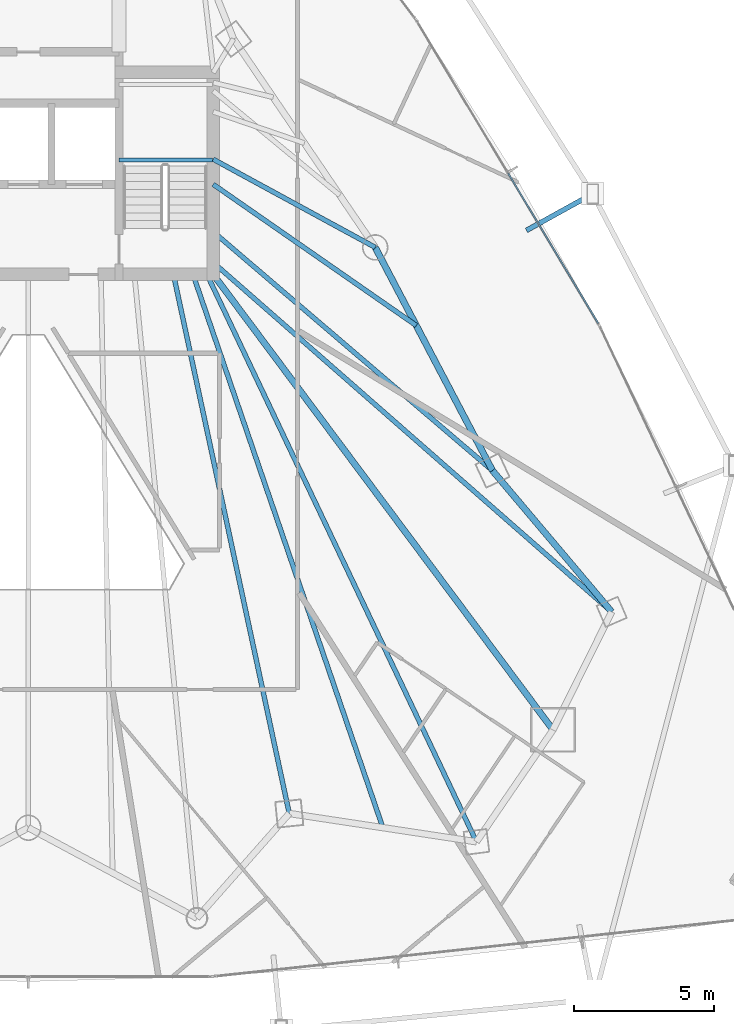
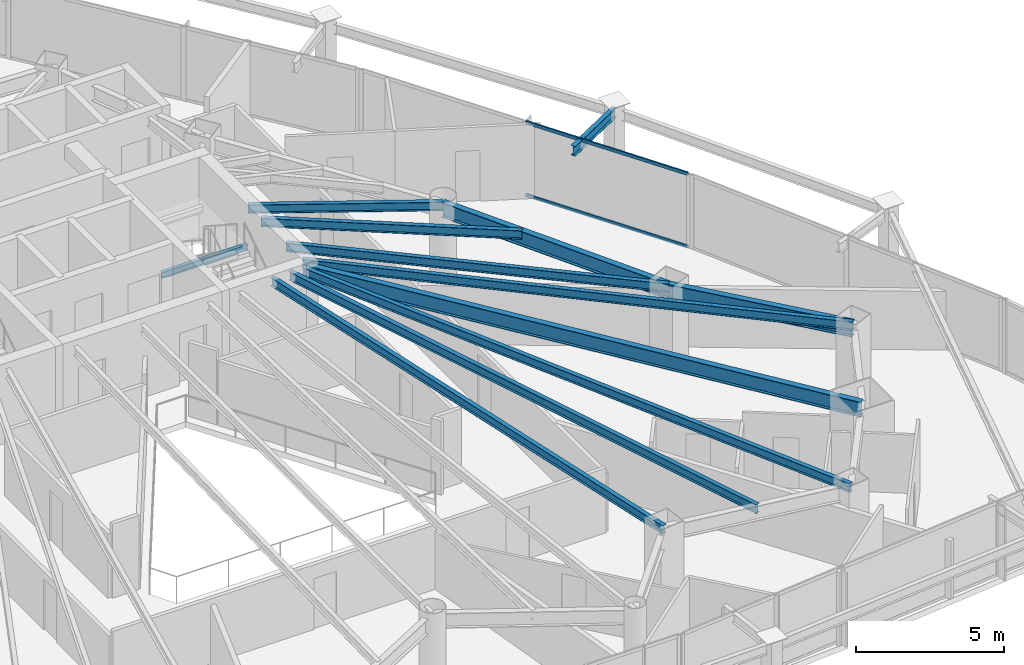
# One storey, part 19 of 38: 12 beams, 2 members, 1 element without a shape of its own.
"""IFC4 building model written with IfcOpenShell, lengths in metres."""

from ifc_helpers import new_model, si_unit, direction, frame, origin, origin_2d, place, context, subcontext, project, spatial, hollow_rectangle, i_section, extrude, material, layer, layer_set, material_profile, profile_set, type_object, element, aggregate, save


model = new_model("IFC4")

# Units and contexts
model_context = context("Model", 3, precision=1e-05, world=origin(), true_north=direction((0.0, 1.0)))
body_context = subcontext(model_context, "Body", "Model", "MODEL_VIEW")
ifc_project = project(units=[si_unit("LENGTHUNIT", "METRE"), si_unit("AREAUNIT", "SQUARE_METRE"), si_unit("VOLUMEUNIT", "CUBIC_METRE"), si_unit("PLANEANGLEUNIT", "RADIAN"), si_unit("MASSUNIT", "GRAM", prefix="KILO")], contexts=[model_context])

# Site, building, storey
site_placement = place(None, origin())
site = spatial("IfcSite", under=ifc_project, at=site_placement, CompositionType="ELEMENT")
building_placement = place(site_placement, origin())
building = spatial("IfcBuilding", under=site, at=building_placement, Name="Orvanel Arch Residences", CompositionType="ELEMENT")
storey_placement = place(building_placement, frame((0.0, 0.0, 50.0)))
storey = spatial("IfcBuildingStorey", under=building, at=storey_placement, Name="L13", CompositionType="ELEMENT", Elevation=50.0)

# Beams
ifc_material_1 = material(Name="Structural steel AS/NZS 3679.1 Grade 300 (300 MPa)", Category="steel")
ifc_material_profile_1 = material_profile(ifc_material_1, i_section(OverallWidth=0.22900390625, OverallDepth=0.612060546875, WebThickness=0.011962890625, FlangeThickness=0.01953125, at=origin_2d()), Name="610UB125")
ifc_profile_set_1 = profile_set([ifc_material_profile_1], Name="Structural steel AS/NZS 3679.1 Grade 300 (300 MPa)")
beam_type_1 = type_object("IfcBeamType", Name="BG-610UB", PredefinedType="BEAM", material=ifc_profile_set_1)
beam_1_placement = place(storey_placement, frame((39.625, 26.675048828125, 2.75390625), z_axis=(0.597893733742, -0.801575375839, 0.0), x_axis=(0.801575375839, 0.597893733742, 0.0)))
element("IfcBeam", 1, at=beam_1_placement, inside=storey, type_object=beam_type_1, Name="L13 South-East Radial Girder", PredefinedType="BEAM", context=body_context, shape_type="SweptSolid", body=[
    extrude(i_section(OverallWidth=0.22900390625, OverallDepth=0.612060546875, WebThickness=0.011962890625, FlangeThickness=0.01953125, at=origin_2d()), origin(), (0.0, 0.0, 1.0), 20.36474609375),
])
ifc_material_profile_2 = material_profile(ifc_material_1, i_section(OverallWidth=0.14599609375, OverallDepth=0.251953125, WebThickness=0.006103515625, FlangeThickness=0.008544921875, at=origin_2d()), Name="250UB31.4")
ifc_profile_set_2 = profile_set([ifc_material_profile_2], Name="Structural steel AS/NZS 3679.1 Grade 300 (300 MPa)")
beam_type_2 = type_object("IfcBeamType", Name="BJ-250UB", PredefinedType="JOIST", material=ifc_profile_set_2)
beam_2_placement = place(storey_placement, frame((36.25, 30.780029296875, 1.323974609375), z_axis=(1.0, 0.0, 0.0), x_axis=(0.0, 1.0, 0.0)))
element("IfcBeam", 2, at=beam_2_placement, inside=storey, type_object=beam_type_2, Name="L13 ST-2 Half-Landing Support Beam 1.1", PredefinedType="JOIST", context=body_context, shape_type="SweptSolid", body=[
    extrude(i_section(OverallWidth=0.14599609375, OverallDepth=0.251953125, WebThickness=0.006103515625, FlangeThickness=0.008544921875, at=origin_2d()), origin(), (0.0, 0.0, 1.0), 3.35009765625),
])
ifc_material_profile_3 = material_profile(ifc_material_1, i_section(OverallWidth=0.1708984375, OverallDepth=0.35595703125, WebThickness=0.00732421875, FlangeThickness=0.011474609375, at=origin_2d()), Name="360UB50.7")
ifc_profile_set_3 = profile_set([ifc_material_profile_3], Name="Structural steel AS/NZS 3679.1 Grade 300 (300 MPa)")
beam_type_3 = type_object("IfcBeamType", Name="BJ-360UB", PredefinedType="JOIST", material=ifc_profile_set_3)
beam_3_placement = place(storey_placement, frame((39.625, 30.800048828125, 2.882080078125), z_axis=(0.878399029914, -0.477927969726, 0.0), x_axis=(0.477927969726, 0.878399029914, 0.0)))
element("IfcBeam", 3, at=beam_3_placement, inside=storey, type_object=beam_type_3, Name="L13 NE Wing Floor Joist", PredefinedType="JOIST", context=body_context, shape_type="SweptSolid", body=[
    extrude(i_section(OverallWidth=0.1708984375, OverallDepth=0.35595703125, WebThickness=0.00732421875, FlangeThickness=0.011474609375, at=origin_2d()), origin(), (0.0, 0.0, 1.0), 6.609619140625),
])
beam_4_placement = place(storey_placement, frame((39.625, 28.199951171875, 2.882080078125), z_axis=(0.760024297953, -0.649894658018, 0.0), x_axis=(0.649894658018, 0.760024297953, 0.0)))
element("IfcBeam", 4, at=beam_4_placement, inside=storey, type_object=beam_type_3, Name="L13 E Wing Floor Joist", PredefinedType="JOIST", context=body_context, shape_type="SweptSolid", body=[
    extrude(i_section(OverallWidth=0.1708984375, OverallDepth=0.35595703125, WebThickness=0.00732421875, FlangeThickness=0.011474609375, at=origin_2d()), origin(), (0.0, 0.0, 1.0), 13.16796875),
])
beam_5_placement = place(storey_placement, frame((38.199951171875, 26.675048828125, 2.882080078125), z_axis=(0.210066515515, -0.977687096703, 0.0), x_axis=(0.977687096703, 0.210066515515, 0.0)))
element("IfcBeam", 5, at=beam_5_placement, inside=storey, type_object=beam_type_3, Name="L13 SE Wing Floor Joist", PredefinedType="JOIST", context=body_context, shape_type="SweptSolid", body=[
    extrude(i_section(OverallWidth=0.1708984375, OverallDepth=0.35595703125, WebThickness=0.00732421875, FlangeThickness=0.011474609375, at=origin_2d()), origin(), (0.0, 0.0, 1.0), 19.760986328125),
])
beam_6_placement = place(storey_placement, frame((39.625, 27.10009765625, 2.882080078125), z_axis=(0.751924114057, -0.659249669472, 0.0), x_axis=(0.659249669472, 0.751924114057, 0.0)))
element("IfcBeam", 6, at=beam_6_placement, inside=storey, type_object=beam_type_3, Name="L13 ME Wing Floor Joist", PredefinedType="JOIST", context=body_context, shape_type="SweptSolid", body=[
    extrude(i_section(OverallWidth=0.1708984375, OverallDepth=0.35595703125, WebThickness=0.00732421875, FlangeThickness=0.011474609375, at=origin_2d()), origin(), (0.0, 0.0, 1.0), 18.9912109375),
])
beam_7_placement = place(storey_placement, frame((39.39990234375, 26.675048828125, 2.882080078125), z_axis=(0.429042657795, -0.903284228686, 0.0), x_axis=(0.903284228686, 0.429042657795, 0.0)))
element("IfcBeam", 7, at=beam_7_placement, inside=storey, type_object=beam_type_3, Name="L13 MSE Wing Floor Joist", PredefinedType="JOIST", context=body_context, shape_type="SweptSolid", body=[
    extrude(i_section(OverallWidth=0.1708984375, OverallDepth=0.35595703125, WebThickness=0.00732421875, FlangeThickness=0.011474609375, at=origin_2d()), origin(), (0.0, 0.0, 1.0), 22.513427734375),
])
beam_8_placement = place(storey_placement, frame((39.625, 29.89990234375, 2.882080078125), z_axis=(0.821089880853, -0.570798920427, 0.0), x_axis=(0.570798920427, 0.821089880853, 0.0)))
element("IfcBeam", 8, at=beam_8_placement, inside=storey, type_object=beam_type_3, Name="L13 CTE Wing Floor Joist", PredefinedType="JOIST", context=body_context, shape_type="SweptSolid", body=[
    extrude(i_section(OverallWidth=0.1708984375, OverallDepth=0.35595703125, WebThickness=0.00732421875, FlangeThickness=0.011474609375, at=origin_2d()), origin(), (0.0, 0.0, 1.0), 8.86279296875),
])
beam_9_placement = place(storey_placement, frame((38.89990234375, 26.675048828125, 2.882080078125), z_axis=(0.324621456495, -0.945844019901, 0.0), x_axis=(0.945844019901, 0.324621456495, 0.0)))
element("IfcBeam", 9, at=beam_9_placement, inside=storey, type_object=beam_type_3, Name="L13 JADD2 Wing Floor Joist", PredefinedType="JOIST", context=body_context, shape_type="SweptSolid", body=[
    extrude(i_section(OverallWidth=0.1708984375, OverallDepth=0.35595703125, WebThickness=0.00732421875, FlangeThickness=0.011474609375, at=origin_2d()), origin(), (0.0, 0.0, 1.0), 20.96337890625),
])
ifc_material_profile_4 = material_profile(ifc_material_1, i_section(OverallWidth=0.177978515625, OverallDepth=0.406005859375, WebThickness=0.0078125, FlangeThickness=0.0126953125, at=origin_2d()), Name="410UB59.7")
ifc_profile_set_4 = profile_set([ifc_material_profile_4], Name="Structural steel AS/NZS 3679.1 Grade 300 (300 MPa)")
beam_type_4 = type_object("IfcBeamType", Name="OB-410UB-EXT", PredefinedType="SPANDREL", material=ifc_profile_set_4)
beam_10_placement = place(storey_placement, frame((50.85205078125, 28.25, 2.85693359375), z_axis=(0.875332939039, 0.483520677772, 0.0), x_axis=(-0.483520677772, 0.875332939039, 0.0)))
element("IfcBeam", 10, at=beam_10_placement, inside=storey, type_object=beam_type_4, Name="L13 Outer Frame Radial Tie Beam 10", PredefinedType="SPANDREL", context=body_context, shape_type="SweptSolid", body=[
    extrude(i_section(OverallWidth=0.177978515625, OverallDepth=0.406005859375, WebThickness=0.0078125, FlangeThickness=0.0126953125, at=origin_2d()), origin(), (0.0, 0.0, 1.0), 2.707275390625),
])
ifc_material_profile_5 = material_profile(ifc_material_1, i_section(OverallWidth=0.22900390625, OverallDepth=0.612060546875, WebThickness=0.011962890625, FlangeThickness=0.01953125, at=origin_2d()), Name="610UB125")
ifc_profile_set_5 = profile_set([ifc_material_profile_5], Name="Structural steel AS/NZS 3679.1 Grade 300 (300 MPa)")
beam_type_5 = type_object("IfcBeamType", Name="SP-610UB", PredefinedType="SPANDREL", material=ifc_profile_set_5)
beam_11_placement = place(storey_placement, frame((53.905029296875, 14.580078125, 2.75390625), z_axis=(-0.644950329775, 0.764224490659, 0.0), x_axis=(-0.764224490659, -0.644950329775, 0.0)))
element("IfcBeam", 11, at=beam_11_placement, inside=storey, type_object=beam_type_5, Name="L13 Perimeter Spandrel Beam 12", PredefinedType="SPANDREL", context=body_context, shape_type="SweptSolid", body=[
    extrude(i_section(OverallWidth=0.22900390625, OverallDepth=0.612060546875, WebThickness=0.011962890625, FlangeThickness=0.01953125, at=origin_2d()), origin(), (0.0, 0.0, 1.0), 6.623779296875),
])
beam_12_placement = place(storey_placement, frame((49.633056640625, 19.64208984375, 2.75390625), z_axis=(-0.465064762793, 0.885276660942, 0.0), x_axis=(-0.885276660942, -0.465064762793, 0.0)))
element("IfcBeam", 12, at=beam_12_placement, inside=storey, type_object=beam_type_5, Name="L13 Perimeter Spandrel Beam 13", PredefinedType="SPANDREL", context=body_context, shape_type="SweptSolid", body=[
    extrude(i_section(OverallWidth=0.22900390625, OverallDepth=0.612060546875, WebThickness=0.011962890625, FlangeThickness=0.01953125, at=origin_2d()), origin(), (0.0, 0.0, 1.0), 9.03564453125),
])

# Curtain wall, members
ifc_material_2 = material(Name="Bronze-anodised aluminium AA6063-T6", Category="aluminium")
ifc_layer = layer(ifc_material_2, 0.179931640625)
ifc_layer_set = layer_set([ifc_layer], Name="Bronze-anodised aluminium AA6063-T6")
curtain_wall_type = type_object("IfcCurtainWallType", Name="CW2-LOW-SYS", PredefinedType="NOTDEFINED", material=ifc_layer_set)
curtain_wall_placement = place(storey_placement, origin())
curtain_wall = element("IfcCurtainWall", 13, at=curtain_wall_placement, inside=storey, type_object=curtain_wall_type, Name="L13 CW2-LOW-SYS Unitised Curtain Wall", PredefinedType="NOTDEFINED")
ifc_material_profile_6 = material_profile(ifc_material_2, hollow_rectangle(XDim=0.06005859375, YDim=0.135009765625, WallThickness=0.00390625, at=origin_2d()), Name="ALU135x60x4")
ifc_profile_set_6 = profile_set([ifc_material_profile_6], Name="Bronze-anodised aluminium AA6063-T6")
member_type = type_object("IfcMemberType", Name="TRN-135x60", PredefinedType="USERDEFINED", material=ifc_profile_set_6)
member_1_placement = place(storey_placement, frame((53.421875, 24.91796875, 0.030029296875), z_axis=(-0.514352631458, 0.857578783851, 0.0), x_axis=(-0.857578783851, -0.514352631458, 0.0)))
member_1 = element("IfcMember", 14, at=member_1_placement, type_object=member_type, Name="CW-S2 transom 1.1", ObjectType="TRANSOM", PredefinedType="USERDEFINED", context=body_context, shape_type="SweptSolid", body=[
    extrude(hollow_rectangle(XDim=0.06005859375, YDim=0.135009765625, WallThickness=0.00390625, at=origin_2d()), origin(), (0.0, 0.0, 1.0), 6.271728515625),
])
member_2_placement = place(storey_placement, frame((53.421875, 24.91796875, 3.030029296875), z_axis=(-0.514352631458, 0.857578783851, 0.0), x_axis=(-0.857578783851, -0.514352631458, 0.0)))
member_2 = element("IfcMember", 15, at=member_2_placement, type_object=member_type, Name="CW-S2 transom 1.2", ObjectType="TRANSOM", PredefinedType="USERDEFINED", context=body_context, shape_type="SweptSolid", body=[
    extrude(hollow_rectangle(XDim=0.06005859375, YDim=0.135009765625, WallThickness=0.00390625, at=origin_2d()), origin(), (0.0, 0.0, 1.0), 6.271728515625),
])
aggregate(curtain_wall, [member_1, member_2])

save(model, "model.ifc")
